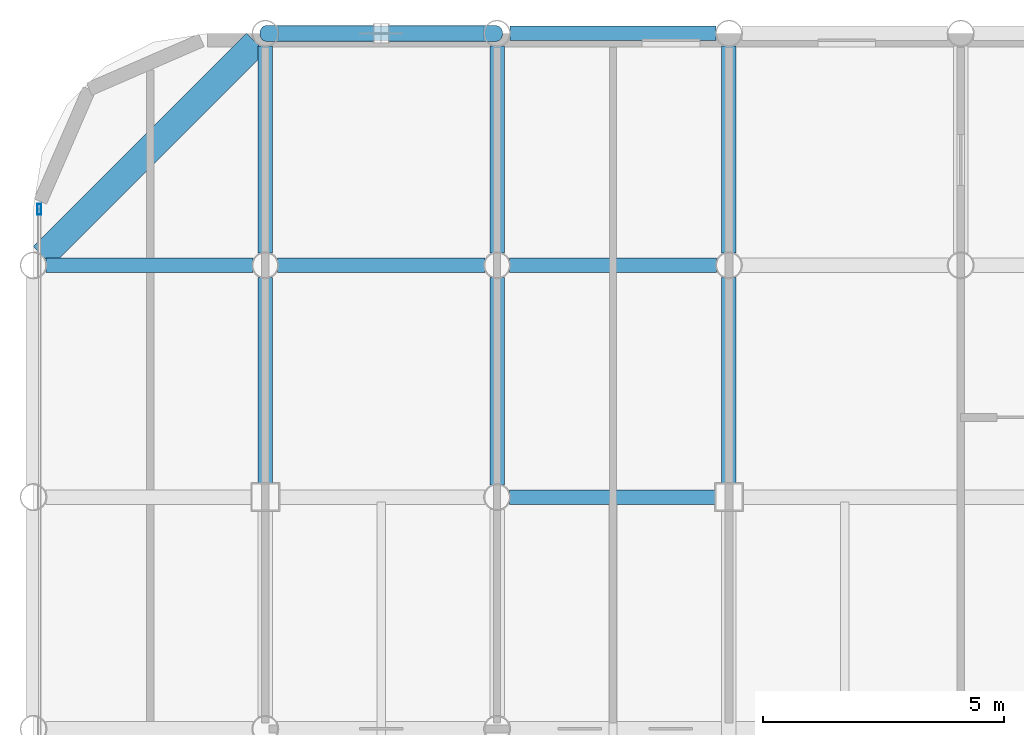
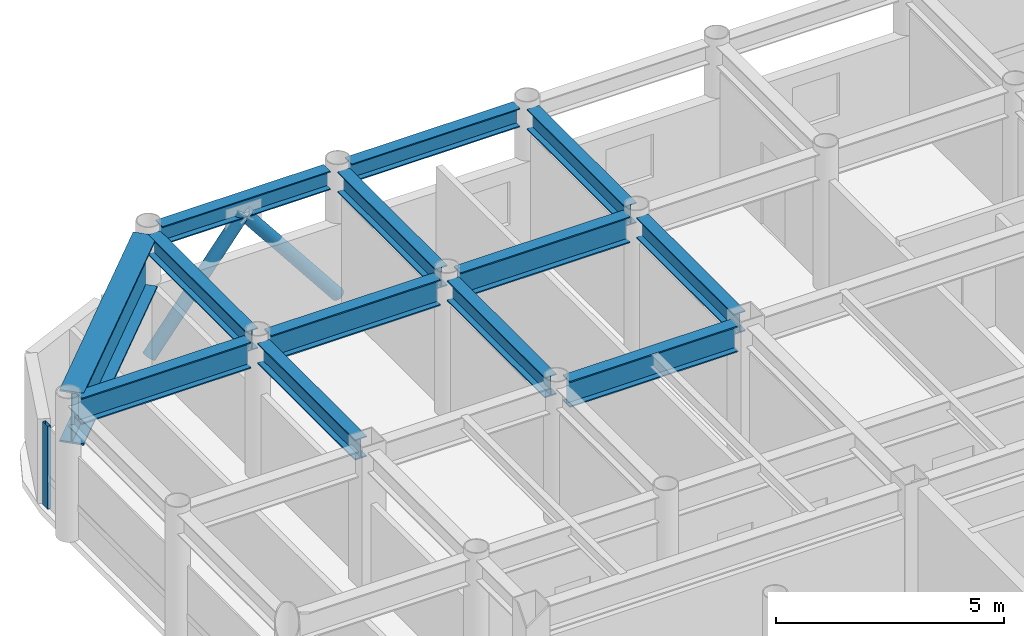
# One storey, part 12 of 24: 13 beams, 3 members, 1 element without a shape of its own.
"""IFC4 building model written with IfcOpenShell, lengths in metres."""

import ifcopenshell
import ifcopenshell.guid

model = None  # the IFC model being written
_history = None  # IfcOwnerHistory: only IFC2X3 demands one
_inside = {}  # id of a spatial element -> (the spatial element, [elements in it])
_under = {}  # id of a project, library or spatial element -> (it, [spatial elements below it])
_declared = {}  # id of a project -> (the project, [libraries it declares])
_typed = {}  # id of a type object -> (the type object, [elements of that type])
_made_of = {}  # id of a material, layer set ... -> (it, [elements and type objects made of it])


def new_model(schema):
    """Start an empty IFC model of exactly this schema.

    Asked for "IFC4X3", IfcOpenShell would pick the latest addendum, in which some entities
    have other attributes; the version numbers below select the first issue.
    IFC2X3 requires an IfcOwnerHistory on every rooted entity: one is made here for all.
    """
    global model, _history
    if schema == "IFC4X3":
        model = ifcopenshell.file(schema_version=(4, 3, 0, 0))
    else:
        model = ifcopenshell.file(schema=schema)
    _inside.clear()
    _under.clear()
    _declared.clear()
    _typed.clear()
    _made_of.clear()
    _history = None
    if model.schema == "IFC2X3":
        org = make("IfcOrganization", Name="unknown")
        user = make(
            "IfcPersonAndOrganization",
            ThePerson=make("IfcPerson", FamilyName="unknown"),
            TheOrganization=org,
        )
        app = make(
            "IfcApplication",
            ApplicationDeveloper=org,
            Version="unknown",
            ApplicationFullName="unknown",
            ApplicationIdentifier="unknown",
        )
        _history = make(
            "IfcOwnerHistory",
            OwningUser=user,
            OwningApplication=app,
            ChangeAction="ADDED",
            CreationDate=0,
        )
    return model


def make(cls, **values):
    """One entity of the class cls with the attributes given. An attribute that is None is left unset."""
    return model.create_entity(
        cls, **{name: value for name, value in values.items() if value is not None}
    )


def rooted(cls, **values):
    """An entity with a GlobalId (a new one), such as an element, a storey or a relation."""
    return make(cls, GlobalId=ifcopenshell.guid.new(), OwnerHistory=_history, **values)


def si_unit(unit_type, name, prefix=None):
    """IfcSIUnit, for example si_unit("LENGTHUNIT", "METRE", prefix="MILLI")."""
    return make("IfcSIUnit", UnitType=unit_type, Prefix=prefix, Name=name)


def assignment(units):
    """IfcUnitAssignment: the units of a project."""
    return None if units is None else make("IfcUnitAssignment", Units=units)


def point(xyz):
    """IfcCartesianPoint."""
    return None if xyz is None else make("IfcCartesianPoint", Coordinates=xyz)


def direction(xyz):
    """IfcDirection."""
    return None if xyz is None else make("IfcDirection", DirectionRatios=xyz)


def frame(location, z_axis=None, x_axis=None):
    """IfcAxis2Placement3D, a coordinate frame: its origin and axes. An axis left out is left unset."""
    return make(
        "IfcAxis2Placement3D",
        Location=point(location),
        Axis=direction(z_axis),
        RefDirection=direction(x_axis),
    )


def frame_2d(location, x_axis=None):
    """IfcAxis2Placement2D, a coordinate frame in the plane: its origin and x axis."""
    return make(
        "IfcAxis2Placement2D", Location=point(location), RefDirection=direction(x_axis)
    )


def origin():
    """The frame at (0, 0, 0) with its axes left unset."""
    return frame((0.0, 0.0, 0.0))


def origin_2d():
    """The frame at (0, 0) in the plane with its x axis left unset."""
    return frame_2d((0.0, 0.0))


def place(relative_to, where):
    """IfcLocalPlacement: puts the frame where relative to a parent placement (None: the world)."""
    return make(
        "IfcLocalPlacement", PlacementRelTo=relative_to, RelativePlacement=where
    )


def context(
    kind, dimensions, precision=None, world=None, true_north=None, identifier=None
):
    """IfcGeometricRepresentationContext, for example the 3D "Model" context."""
    return make(
        "IfcGeometricRepresentationContext",
        ContextIdentifier=identifier,
        ContextType=kind,
        CoordinateSpaceDimension=dimensions,
        Precision=precision,
        WorldCoordinateSystem=world,
        TrueNorth=true_north,
    )


def subcontext(parent, identifier, kind, view, scale=None):
    """IfcGeometricRepresentationSubContext, for example "Body" below "Model"."""
    return make(
        "IfcGeometricRepresentationSubContext",
        ContextIdentifier=identifier,
        ContextType=kind,
        ParentContext=parent,
        TargetScale=scale,
        TargetView=view,
    )


def project(units=None, contexts=None):
    """IfcProject with its units and contexts."""
    return rooted(
        "IfcProject",
        Name="project",
        RepresentationContexts=contexts,
        UnitsInContext=assignment(units),
    )


def spatial(cls, under=None, at=None, **own):
    """A site, building, storey or space (cls), placed at a placement, below another one or the project."""
    s = rooted(cls, ObjectPlacement=at, **own)
    if under is not None:
        _under.setdefault(under.id(), (under, []))[1].append(s)
    return s


def profile(cls, at=None, kind="AREA", **sizes):
    """A parametric profile (cls). Its sizes go by their IFC names, for example OverallWidth=200.0."""
    return make(cls, ProfileType=kind, Position=at, **sizes)


def hollow_rectangle(**sizes):
    """IfcRectangleHollowProfileDef."""
    return profile("IfcRectangleHollowProfileDef", **sizes)


def hollow_circle(**sizes):
    """IfcCircleHollowProfileDef."""
    return profile("IfcCircleHollowProfileDef", **sizes)


def i_section(**sizes):
    """IfcIShapeProfileDef."""
    return profile("IfcIShapeProfileDef", **sizes)


def extrude(swept, where, along, depth):
    """IfcExtrudedAreaSolid: the profile swept, set in the frame where, extruded along a direction by depth."""
    return make(
        "IfcExtrudedAreaSolid",
        SweptArea=swept,
        Position=where,
        ExtrudedDirection=direction(along),
        Depth=depth,
    )


def shape(context_of_items, identifier, shape_type, items):
    """IfcShapeRepresentation: the items that make up one representation, for example the "Body"."""
    return make(
        "IfcShapeRepresentation",
        ContextOfItems=context_of_items,
        RepresentationIdentifier=identifier,
        RepresentationType=shape_type,
        Items=items,
    )


def material(Name=None, Category=None):
    """IfcMaterial."""
    return make("IfcMaterial", Name=Name, Category=Category)


def layer(
    of_material, thickness, ventilated=None, Name=None, Category=None, Priority=None
):
    """IfcMaterialLayer: one layer of a wall or slab, of a material (None: an air gap)."""
    return make(
        "IfcMaterialLayer",
        Material=of_material,
        LayerThickness=thickness,
        IsVentilated=ventilated,
        Name=Name,
        Category=Category,
        Priority=Priority,
    )


def layer_set(layers, Name=None):
    """IfcMaterialLayerSet."""
    return make("IfcMaterialLayerSet", MaterialLayers=layers, LayerSetName=Name)


def material_profile(
    of_material, cross_section, Name=None, Category=None, Priority=None
):
    """IfcMaterialProfile: a cross section and its material."""
    return make(
        "IfcMaterialProfile",
        Name=Name,
        Material=of_material,
        Profile=cross_section,
        Priority=Priority,
        Category=Category,
    )


def profile_set(profiles, Name=None, composite=None):
    """IfcMaterialProfileSet."""
    return make(
        "IfcMaterialProfileSet",
        Name=Name,
        MaterialProfiles=profiles,
        CompositeProfile=composite,
    )


def made_of(thing, what):
    """Note that an element or type object is made of a material, layer set ...; save() writes the relation."""
    if what is not None:
        _made_of.setdefault(what.id(), (what, []))[1].append(thing)
    return thing


def type_object(cls, material=None, **own):
    """A type object (cls), such as IfcWallType, which elements share."""
    return made_of(rooted(cls, **own), material)


def element(
    cls,
    number,
    at=None,
    inside=None,
    cuts=None,
    type_object=None,
    material=None,
    context=None,
    identifier="Body",
    shape_type=None,
    held_by="IfcProductDefinitionShape",
    body=None,
    shapes=None,
    **own,
):
    """One element of the class cls, such as IfcWall. Its Tag is "e" and its number.

    at: its placement. inside: the storey or other place that contains it. cuts: it is an
    opening in that element (IfcRelVoidsElement). A single representation is given by context,
    identifier, shape_type and body (its items); several are given by shapes. held_by: the class
    of the entity that holds the representations. save() writes the other relations.
    """
    e = rooted(cls, Tag="e%d" % number, ObjectPlacement=at, **own)
    if body is not None:
        shapes = [shape(context, identifier, shape_type, body)]
    if shapes is not None:
        e.Representation = make(held_by, Representations=shapes)
    if inside is not None:
        _inside.setdefault(inside.id(), (inside, []))[1].append(e)
    if cuts is not None:
        rooted(
            "IfcRelVoidsElement", RelatingBuildingElement=cuts, RelatedOpeningElement=e
        )
    if type_object is not None:
        _typed.setdefault(type_object.id(), (type_object, []))[1].append(e)
    return made_of(e, material)


def aggregate(whole, parts):
    """IfcRelAggregates: a whole, such as a stair, and the parts it consists of."""
    return rooted("IfcRelAggregates", RelatingObject=whole, RelatedObjects=parts)


def save(model, path):
    """Write the relations noted so far, then the file.

    IfcRelAggregates (storeys below a building ...), IfcRelContainedInSpatialStructure (elements
    in a storey), IfcRelDefinesByType, IfcRelAssociatesMaterial and IfcRelDeclares: one each for
    every whole, place, type object, material and project.
    """
    for whole, parts in _under.values():
        aggregate(whole, parts)
    for where, things in _inside.values():
        rooted(
            "IfcRelContainedInSpatialStructure",
            RelatedElements=things,
            RelatingStructure=where,
        )
    for kind, things in _typed.values():
        rooted("IfcRelDefinesByType", RelatedObjects=things, RelatingType=kind)
    for what, things in _made_of.values():
        rooted("IfcRelAssociatesMaterial", RelatedObjects=things, RelatingMaterial=what)
    for by, libraries in _declared.values():
        rooted("IfcRelDeclares", RelatingContext=by, RelatedDefinitions=libraries)
    model.write(path)


model = new_model("IFC4")

# Units and contexts
model_context = context("Model", 3, precision=1e-05, world=origin(), true_north=direction((0.0, 1.0)))
body_context = subcontext(model_context, "Body", "Model", "MODEL_VIEW")
ifc_project = project(units=[si_unit("LENGTHUNIT", "METRE"), si_unit("AREAUNIT", "SQUARE_METRE"), si_unit("VOLUMEUNIT", "CUBIC_METRE"), si_unit("PLANEANGLEUNIT", "RADIAN"), si_unit("MASSUNIT", "GRAM", prefix="KILO")], contexts=[model_context])

# Site, building, storey
site_placement = place(None, origin())
site = spatial("IfcSite", under=ifc_project, at=site_placement, CompositionType="ELEMENT")
building_placement = place(site_placement, origin())
building = spatial("IfcBuilding", under=site, at=building_placement, Name="Kallvorn Hotel Tower", CompositionType="ELEMENT")
storey_placement = place(building_placement, frame((0.0, 0.0, 233.85009765625)))
storey = spatial("IfcBuildingStorey", under=building, at=storey_placement, Name="L58", CompositionType="ELEMENT", Elevation=233.85009765625)

# Beams
ifc_material_1 = material(Name="Structural steel S355JR", Category="steel")
ifc_material_profile_1 = material_profile(ifc_material_1, i_section(OverallWidth=0.300048828125, OverallDepth=0.5, WebThickness=0.014404296875, FlangeThickness=0.028076171875, at=origin_2d()), Name="HE 500 B")
ifc_profile_set_1 = profile_set([ifc_material_profile_1], Name="Structural steel S355JR")
beam_type_1 = type_object("IfcBeamType", Name="BM_HE500B", PredefinedType="SPANDREL", material=ifc_profile_set_1)
for number, where, z_axis, x_axis, name in (
    (1, (-23.73046875, 24.0, 3.419921875), (1.0, 0.0, 0.0), (0.0, 1.0, 0.0), "L59 Perimeter Spandrel 163"),
    (2, (-18.930419921875, 24.0, 3.419921875), (1.0, 0.0, 0.0), (0.0, 1.0, 0.0), "L59 Perimeter Spandrel 164"),
):
    element("IfcBeam", number, at=place(storey_placement, frame(where, z_axis=z_axis, x_axis=x_axis)), inside=storey, type_object=beam_type_1, Name=name, PredefinedType="SPANDREL", context=body_context, shape_type="SweptSolid", body=[
        extrude(i_section(OverallWidth=0.300048828125, OverallDepth=0.5, WebThickness=0.014404296875, FlangeThickness=0.028076171875, at=origin_2d()), origin(), (0.0, 0.0, 1.0), 4.260986328125),
    ])
ifc_material_2 = material(Name="Structural steel S355JR", Category="steel")
ifc_material_profile_2 = material_profile(ifc_material_2, i_section(OverallWidth=0.300048828125, OverallDepth=0.550048828125, WebThickness=0.014892578125, FlangeThickness=0.029052734375, at=origin_2d()), Name="HE 550 B")
ifc_profile_set_2 = profile_set([ifc_material_profile_2], Name="Structural steel S355JR")
beam_type_2 = type_object("IfcBeamType", Name="BM_HE550B", PredefinedType="SPANDREL", material=ifc_profile_set_2)
beam_1_placement = place(storey_placement, frame((-24.0, 14.675048828125, 3.39501953125), z_axis=(0.0, 1.0, 0.0), x_axis=(-1.0, 0.0, 0.0)))
element("IfcBeam", 3, at=beam_1_placement, inside=storey, type_object=beam_type_2, Name="L59 Primary Y-Girder 86", PredefinedType="SPANDREL", context=body_context, shape_type="SweptSolid", body=[
    extrude(i_section(OverallWidth=0.300048828125, OverallDepth=0.550048828125, WebThickness=0.014892578125, FlangeThickness=0.029052734375, at=origin_2d()), origin(), (0.0, 0.0, 1.0), 4.2705078125),
])
for number, where, z_axis, x_axis, name in (
    (4, (-24.0, 19.45458984375, 3.39501953125), (0.0, 1.0, 0.0), (-1.0, 0.0, 0.0), "L59 Primary Y-Girder 87"),
    (5, (-19.199951171875, 14.654541015625, 3.39501953125), (0.0, 1.0, 0.0), (-1.0, 0.0, 0.0), "L59 Primary Y-Girder 95"),
    (6, (-19.199951171875, 19.45458984375, 3.39501953125), (0.0, 1.0, 0.0), (-1.0, 0.0, 0.0), "L59 Primary Y-Girder 96"),
):
    element("IfcBeam", number, at=place(storey_placement, frame(where, z_axis=z_axis, x_axis=x_axis)), inside=storey, type_object=beam_type_2, Name=name, PredefinedType="SPANDREL", context=body_context, shape_type="SweptSolid", body=[
        extrude(i_section(OverallWidth=0.300048828125, OverallDepth=0.550048828125, WebThickness=0.014892578125, FlangeThickness=0.029052734375, at=origin_2d()), origin(), (0.0, 0.0, 1.0), 4.291015625),
    ])
beam_2_placement = place(storey_placement, frame((-14.39990234375, 14.675048828125, 3.39501953125), z_axis=(0.0, 1.0, 0.0), x_axis=(-1.0, 0.0, 0.0)))
element("IfcBeam", 7, at=beam_2_placement, inside=storey, type_object=beam_type_2, Name="L59 Primary Y-Girder 100", PredefinedType="SPANDREL", context=body_context, shape_type="SweptSolid", body=[
    extrude(i_section(OverallWidth=0.300048828125, OverallDepth=0.550048828125, WebThickness=0.014892578125, FlangeThickness=0.029052734375, at=origin_2d()), origin(), (0.0, 0.0, 1.0), 4.2705078125),
])
beam_3_placement = place(storey_placement, frame((-14.39990234375, 19.45458984375, 3.39501953125), z_axis=(0.0, 1.0, 0.0), x_axis=(-1.0, 0.0, 0.0)))
element("IfcBeam", 8, at=beam_3_placement, inside=storey, type_object=beam_type_2, Name="L59 Primary Y-Girder 101", PredefinedType="SPANDREL", context=body_context, shape_type="SweptSolid", body=[
    extrude(i_section(OverallWidth=0.300048828125, OverallDepth=0.550048828125, WebThickness=0.014892578125, FlangeThickness=0.029052734375, at=origin_2d()), origin(), (0.0, 0.0, 1.0), 4.291015625),
])
ifc_material_3 = material(Name="Structural steel S355JR", Category="steel")
ifc_material_profile_3 = material_profile(ifc_material_3, i_section(OverallWidth=0.300048828125, OverallDepth=0.699951171875, WebThickness=0.01708984375, FlangeThickness=0.031982421875, at=origin_2d()), Name="HE 700 B")
ifc_profile_set_3 = profile_set([ifc_material_profile_3], Name="Structural steel S355JR")
beam_type_3 = type_object("IfcBeamType", Name="BM_HE700B", PredefinedType="BEAM", material=ifc_profile_set_3)
beam_4_placement = place(storey_placement, frame((-18.945556640625, 14.39990234375, 3.31982421875), z_axis=(1.0, 0.0, 0.0), x_axis=(0.0, 1.0, 0.0)))
element("IfcBeam", 9, at=beam_4_placement, inside=storey, type_object=beam_type_3, Name="L59 Primary X-Girder 52", PredefinedType="BEAM", context=body_context, shape_type="SweptSolid", body=[
    extrude(i_section(OverallWidth=0.300048828125, OverallDepth=0.699951171875, WebThickness=0.01708984375, FlangeThickness=0.031982421875, at=origin_2d()), origin(), (0.0, 0.0, 1.0), 4.2705078125),
])
for number, where, z_axis, x_axis, name in (
    (10, (-28.54541015625, 19.199951171875, 3.31982421875), (1.0, 0.0, 0.0), (0.0, 1.0, 0.0), "L59 Primary X-Girder 60"),
    (11, (-23.74560546875, 19.199951171875, 3.31982421875), (1.0, 0.0, 0.0), (0.0, 1.0, 0.0), "L59 Primary X-Girder 61"),
    (12, (-18.945556640625, 19.199951171875, 3.31982421875), (1.0, 0.0, 0.0), (0.0, 1.0, 0.0), "L59 Primary X-Girder 62"),
):
    element("IfcBeam", number, at=place(storey_placement, frame(where, z_axis=z_axis, x_axis=x_axis)), inside=storey, type_object=beam_type_3, Name=name, PredefinedType="BEAM", context=body_context, shape_type="SweptSolid", body=[
        extrude(i_section(OverallWidth=0.300048828125, OverallDepth=0.699951171875, WebThickness=0.01708984375, FlangeThickness=0.031982421875, at=origin_2d()), origin(), (0.0, 0.0, 1.0), 4.291015625),
    ])
ifc_material_4 = material(Name="Structural steel S355JR", Category="steel")
ifc_material_profile_4 = material_profile(ifc_material_4, i_section(OverallWidth=0.550048828125, OverallDepth=1.39990234375, WebThickness=0.02490234375, FlangeThickness=0.044921875, at=origin_2d()), Name="PG 1400x550x25x45")
ifc_profile_set_4 = profile_set([ifc_material_profile_4], Name="Structural steel S355JR")
beam_type_4 = type_object("IfcBeamType", Name="BM_PG_1400", PredefinedType="BEAM", material=ifc_profile_set_4)
beam_5_placement = place(storey_placement, frame((-28.609375, 19.390625, 2.969970703125), z_axis=(0.707106781187, 0.707106781187, 0.0), x_axis=(-0.707106781187, 0.707106781187, 0.0)))
element("IfcBeam", 13, at=beam_5_placement, inside=storey, type_object=beam_type_4, Name="L59 Rounded Corner Tie Beam 189", PredefinedType="BEAM", context=body_context, shape_type="SweptSolid", body=[
    extrude(i_section(OverallWidth=0.550048828125, OverallDepth=1.39990234375, WebThickness=0.02490234375, FlangeThickness=0.044921875, at=origin_2d()), origin(), (0.0, 0.0, 1.0), 6.2490234375),
])

# Curtain wall, member
ifc_material_5 = material(Name="Thermally broken black-anodised aluminium AA 6063-T6", Category="aluminium")
ifc_layer = layer(ifc_material_5, 0.22998046875)
ifc_layer_set = layer_set([ifc_layer], Name="CW_SYS_5_HOTEL_HIGH")
curtain_wall_type = type_object("IfcCurtainWallType", Name="CW_SYS_5_HOTEL_HIGH", PredefinedType="USERDEFINED", material=ifc_layer_set)
curtain_wall_placement = place(storey_placement, origin())
curtain_wall = element("IfcCurtainWall", 14, at=curtain_wall_placement, inside=storey, type_object=curtain_wall_type, Name="L58 Dark-Glass Curtain Wall CW-L58-WN", ObjectType="UNITISED CURTAIN WALL", PredefinedType="USERDEFINED")
ifc_material_6 = material(Name="Thermally broken black-anodised aluminium AA 6063-T6", Category="aluminium")
ifc_material_profile_5 = material_profile(ifc_material_6, hollow_rectangle(XDim=0.080078125, YDim=0.219970703125, WallThickness=0.0048828125, at=origin_2d()), Name="MUL 220x80")
ifc_profile_set_5 = profile_set([ifc_material_profile_5], Name="Thermally broken black-anodised aluminium AA 6063-T6")
member_type_1 = type_object("IfcMemberType", Name="CW_MULLION_220x80", PredefinedType="MULLION", material=ifc_profile_set_5)
member_placement = place(storey_placement, frame((-28.679931640625, 20.360107421875, 0.02001953125), z_axis=(0.0, 0.0, 1.0), x_axis=(1.0, 0.0, 0.0)))
member = element("IfcMember", 15, at=member_placement, type_object=member_type_1, Name="CW-L58-WN Mullion 01", PredefinedType="MULLION", context=body_context, shape_type="SweptSolid", body=[
    extrude(hollow_rectangle(XDim=0.080078125, YDim=0.219970703125, WallThickness=0.0048828125, at=origin_2d()), origin(), (0.0, 0.0, 1.0), 2.22998046875),
])
aggregate(curtain_wall, [member])

# Members
ifc_material_7 = material(Name="Structural steel S355J2H", Category="steel")
ifc_material_profile_6 = material_profile(ifc_material_7, hollow_circle(Radius=0.161865234375, WallThickness=0.012451171875, at=origin_2d()), Name="CHS 323.9x12.5")
ifc_profile_set_6 = profile_set([ifc_material_profile_6], Name="Structural steel S355J2H")
member_type_2 = type_object("IfcMemberType", Name="MBR_EXO_CHS323", PredefinedType="BRACE", material=ifc_profile_set_6)
for number, where, z_axis, x_axis, name in (
    (16, (-23.987548828125, 24.0, 0.195556640625), (0.620928510901, 0.0, 0.783867198159), (0.0, 1.0, 0.0), "L58 Exoskeleton K-Brace N1A"),
    (17, (-19.21240234375, 24.0, 0.195556640625), (-0.620928510901, 0.0, 0.783867198159), (0.0, -1.0, 0.0), "L58 Exoskeleton K-Brace N1B"),
):
    element("IfcMember", number, at=place(storey_placement, frame(where, z_axis=z_axis, x_axis=x_axis)), inside=storey, type_object=member_type_2, Name=name, PredefinedType="BRACE", context=body_context, shape_type="SweptSolid", body=[
        extrude(hollow_circle(Radius=0.161865234375, WallThickness=0.012451171875, at=origin_2d()), origin(), (0.0, 0.0, 1.0), 3.8251953125),
    ])

save(model, "model.ifc")
